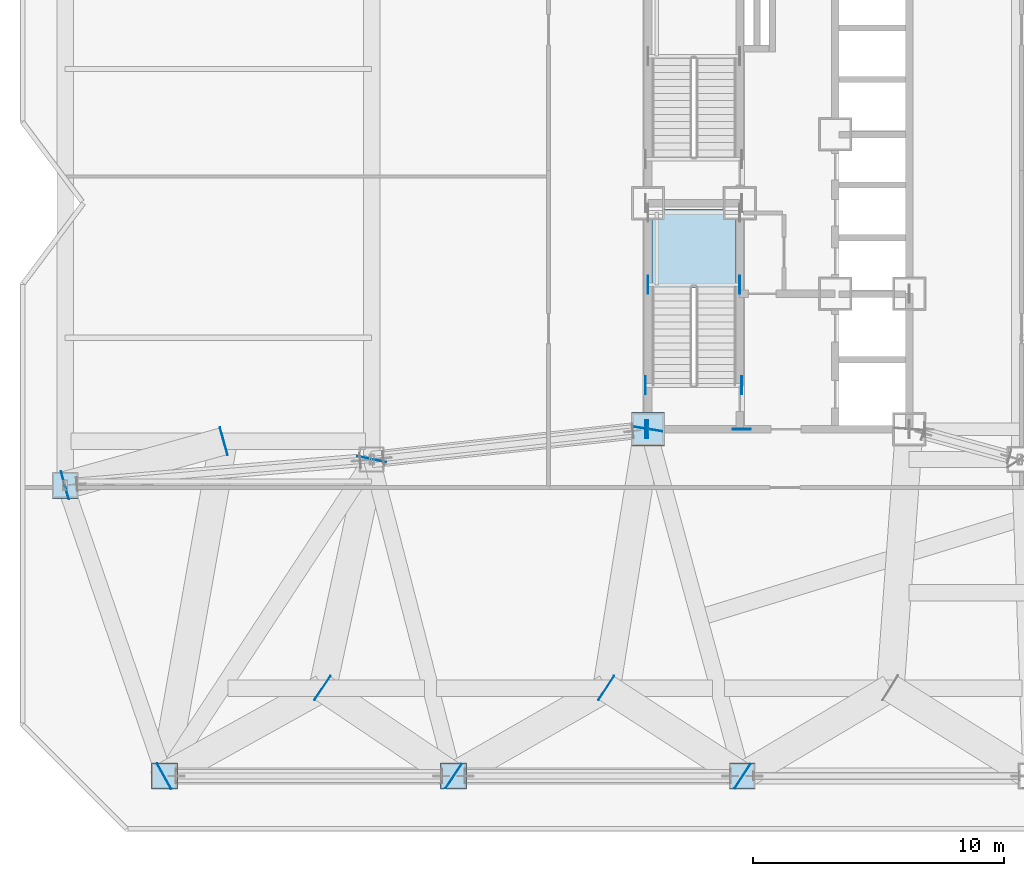
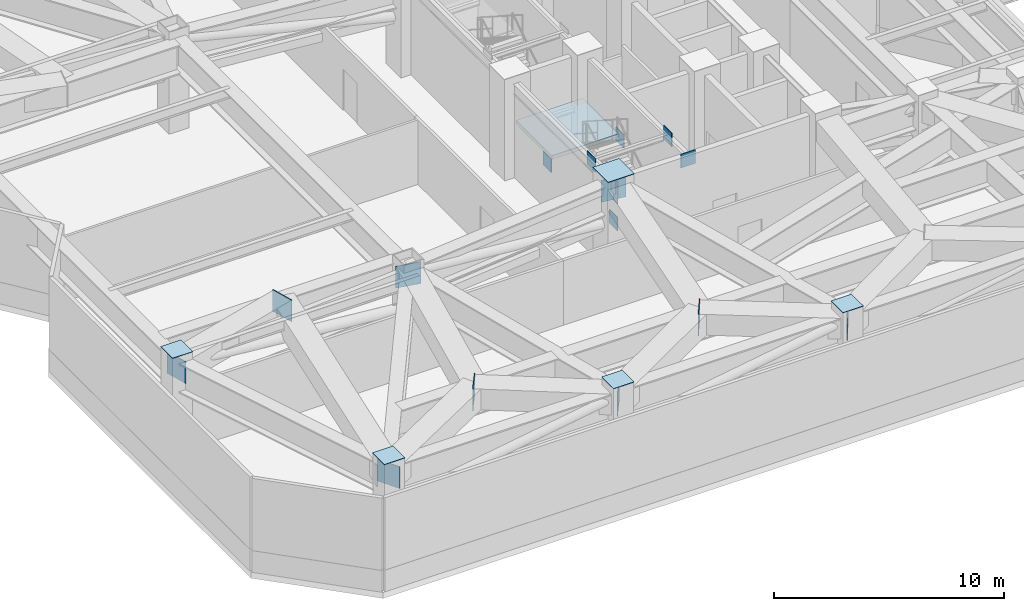
# One storey, part 6 of 18: 24 plates, 1 slab, 1 element without a shape of its own.
"""IFC4 building model written with IfcOpenShell, lengths in metres."""

import ifcopenshell
import ifcopenshell.guid

model = None  # the IFC model being written
_history = None  # IfcOwnerHistory: only IFC2X3 demands one
_inside = {}  # id of a spatial element -> (the spatial element, [elements in it])
_under = {}  # id of a project, library or spatial element -> (it, [spatial elements below it])
_declared = {}  # id of a project -> (the project, [libraries it declares])
_typed = {}  # id of a type object -> (the type object, [elements of that type])
_made_of = {}  # id of a material, layer set ... -> (it, [elements and type objects made of it])


def new_model(schema):
    """Start an empty IFC model of exactly this schema.

    Asked for "IFC4X3", IfcOpenShell would pick the latest addendum, in which some entities
    have other attributes; the version numbers below select the first issue.
    IFC2X3 requires an IfcOwnerHistory on every rooted entity: one is made here for all.
    """
    global model, _history
    if schema == "IFC4X3":
        model = ifcopenshell.file(schema_version=(4, 3, 0, 0))
    else:
        model = ifcopenshell.file(schema=schema)
    _inside.clear()
    _under.clear()
    _declared.clear()
    _typed.clear()
    _made_of.clear()
    _history = None
    if model.schema == "IFC2X3":
        org = make("IfcOrganization", Name="unknown")
        user = make(
            "IfcPersonAndOrganization",
            ThePerson=make("IfcPerson", FamilyName="unknown"),
            TheOrganization=org,
        )
        app = make(
            "IfcApplication",
            ApplicationDeveloper=org,
            Version="unknown",
            ApplicationFullName="unknown",
            ApplicationIdentifier="unknown",
        )
        _history = make(
            "IfcOwnerHistory",
            OwningUser=user,
            OwningApplication=app,
            ChangeAction="ADDED",
            CreationDate=0,
        )
    return model


def make(cls, **values):
    """One entity of the class cls with the attributes given. An attribute that is None is left unset."""
    return model.create_entity(
        cls, **{name: value for name, value in values.items() if value is not None}
    )


def rooted(cls, **values):
    """An entity with a GlobalId (a new one), such as an element, a storey or a relation."""
    return make(cls, GlobalId=ifcopenshell.guid.new(), OwnerHistory=_history, **values)


def si_unit(unit_type, name, prefix=None):
    """IfcSIUnit, for example si_unit("LENGTHUNIT", "METRE", prefix="MILLI")."""
    return make("IfcSIUnit", UnitType=unit_type, Prefix=prefix, Name=name)


def assignment(units):
    """IfcUnitAssignment: the units of a project."""
    return None if units is None else make("IfcUnitAssignment", Units=units)


def point(xyz):
    """IfcCartesianPoint."""
    return None if xyz is None else make("IfcCartesianPoint", Coordinates=xyz)


def direction(xyz):
    """IfcDirection."""
    return None if xyz is None else make("IfcDirection", DirectionRatios=xyz)


def frame(location, z_axis=None, x_axis=None):
    """IfcAxis2Placement3D, a coordinate frame: its origin and axes. An axis left out is left unset."""
    return make(
        "IfcAxis2Placement3D",
        Location=point(location),
        Axis=direction(z_axis),
        RefDirection=direction(x_axis),
    )


def frame_2d(location, x_axis=None):
    """IfcAxis2Placement2D, a coordinate frame in the plane: its origin and x axis."""
    return make(
        "IfcAxis2Placement2D", Location=point(location), RefDirection=direction(x_axis)
    )


def origin():
    """The frame at (0, 0, 0) with its axes left unset."""
    return frame((0.0, 0.0, 0.0))


def origin_2d():
    """The frame at (0, 0) in the plane with its x axis left unset."""
    return frame_2d((0.0, 0.0))


def place(relative_to, where):
    """IfcLocalPlacement: puts the frame where relative to a parent placement (None: the world)."""
    return make(
        "IfcLocalPlacement", PlacementRelTo=relative_to, RelativePlacement=where
    )


def context(
    kind, dimensions, precision=None, world=None, true_north=None, identifier=None
):
    """IfcGeometricRepresentationContext, for example the 3D "Model" context."""
    return make(
        "IfcGeometricRepresentationContext",
        ContextIdentifier=identifier,
        ContextType=kind,
        CoordinateSpaceDimension=dimensions,
        Precision=precision,
        WorldCoordinateSystem=world,
        TrueNorth=true_north,
    )


def subcontext(parent, identifier, kind, view, scale=None):
    """IfcGeometricRepresentationSubContext, for example "Body" below "Model"."""
    return make(
        "IfcGeometricRepresentationSubContext",
        ContextIdentifier=identifier,
        ContextType=kind,
        ParentContext=parent,
        TargetScale=scale,
        TargetView=view,
    )


def project(units=None, contexts=None):
    """IfcProject with its units and contexts."""
    return rooted(
        "IfcProject",
        Name="project",
        RepresentationContexts=contexts,
        UnitsInContext=assignment(units),
    )


def spatial(cls, under=None, at=None, **own):
    """A site, building, storey or space (cls), placed at a placement, below another one or the project."""
    s = rooted(cls, ObjectPlacement=at, **own)
    if under is not None:
        _under.setdefault(under.id(), (under, []))[1].append(s)
    return s


def polyline(points):
    """IfcPolyline through the points."""
    return make("IfcPolyline", Points=[point(p) for p in points])


def profile(cls, at=None, kind="AREA", **sizes):
    """A parametric profile (cls). Its sizes go by their IFC names, for example OverallWidth=200.0."""
    return make(cls, ProfileType=kind, Position=at, **sizes)


def rectangle(**sizes):
    """IfcRectangleProfileDef."""
    return profile("IfcRectangleProfileDef", **sizes)


def outline(outer, holes=None, kind="AREA"):
    """IfcArbitraryClosedProfileDef: a profile drawn as a closed curve; with holes, ...WithVoids."""
    if holes is None:
        return make("IfcArbitraryClosedProfileDef", ProfileType=kind, OuterCurve=outer)
    return make(
        "IfcArbitraryProfileDefWithVoids",
        ProfileType=kind,
        OuterCurve=outer,
        InnerCurves=holes,
    )


def extrude(swept, where, along, depth):
    """IfcExtrudedAreaSolid: the profile swept, set in the frame where, extruded along a direction by depth."""
    return make(
        "IfcExtrudedAreaSolid",
        SweptArea=swept,
        Position=where,
        ExtrudedDirection=direction(along),
        Depth=depth,
    )


def shape(context_of_items, identifier, shape_type, items):
    """IfcShapeRepresentation: the items that make up one representation, for example the "Body"."""
    return make(
        "IfcShapeRepresentation",
        ContextOfItems=context_of_items,
        RepresentationIdentifier=identifier,
        RepresentationType=shape_type,
        Items=items,
    )


def material(Name=None, Category=None):
    """IfcMaterial."""
    return make("IfcMaterial", Name=Name, Category=Category)


def layer(
    of_material, thickness, ventilated=None, Name=None, Category=None, Priority=None
):
    """IfcMaterialLayer: one layer of a wall or slab, of a material (None: an air gap)."""
    return make(
        "IfcMaterialLayer",
        Material=of_material,
        LayerThickness=thickness,
        IsVentilated=ventilated,
        Name=Name,
        Category=Category,
        Priority=Priority,
    )


def layer_set(layers, Name=None):
    """IfcMaterialLayerSet."""
    return make("IfcMaterialLayerSet", MaterialLayers=layers, LayerSetName=Name)


def made_of(thing, what):
    """Note that an element or type object is made of a material, layer set ...; save() writes the relation."""
    if what is not None:
        _made_of.setdefault(what.id(), (what, []))[1].append(thing)
    return thing


def type_object(cls, material=None, **own):
    """A type object (cls), such as IfcWallType, which elements share."""
    return made_of(rooted(cls, **own), material)


def element(
    cls,
    number,
    at=None,
    inside=None,
    cuts=None,
    type_object=None,
    material=None,
    context=None,
    identifier="Body",
    shape_type=None,
    held_by="IfcProductDefinitionShape",
    body=None,
    shapes=None,
    **own,
):
    """One element of the class cls, such as IfcWall. Its Tag is "e" and its number.

    at: its placement. inside: the storey or other place that contains it. cuts: it is an
    opening in that element (IfcRelVoidsElement). A single representation is given by context,
    identifier, shape_type and body (its items); several are given by shapes. held_by: the class
    of the entity that holds the representations. save() writes the other relations.
    """
    e = rooted(cls, Tag="e%d" % number, ObjectPlacement=at, **own)
    if body is not None:
        shapes = [shape(context, identifier, shape_type, body)]
    if shapes is not None:
        e.Representation = make(held_by, Representations=shapes)
    if inside is not None:
        _inside.setdefault(inside.id(), (inside, []))[1].append(e)
    if cuts is not None:
        rooted(
            "IfcRelVoidsElement", RelatingBuildingElement=cuts, RelatedOpeningElement=e
        )
    if type_object is not None:
        _typed.setdefault(type_object.id(), (type_object, []))[1].append(e)
    return made_of(e, material)


def aggregate(whole, parts):
    """IfcRelAggregates: a whole, such as a stair, and the parts it consists of."""
    return rooted("IfcRelAggregates", RelatingObject=whole, RelatedObjects=parts)


def save(model, path):
    """Write the relations noted so far, then the file.

    IfcRelAggregates (storeys below a building ...), IfcRelContainedInSpatialStructure (elements
    in a storey), IfcRelDefinesByType, IfcRelAssociatesMaterial and IfcRelDeclares: one each for
    every whole, place, type object, material and project.
    """
    for whole, parts in _under.values():
        aggregate(whole, parts)
    for where, things in _inside.values():
        rooted(
            "IfcRelContainedInSpatialStructure",
            RelatedElements=things,
            RelatingStructure=where,
        )
    for kind, things in _typed.values():
        rooted("IfcRelDefinesByType", RelatedObjects=things, RelatingType=kind)
    for what, things in _made_of.values():
        rooted("IfcRelAssociatesMaterial", RelatedObjects=things, RelatingMaterial=what)
    for by, libraries in _declared.values():
        rooted("IfcRelDeclares", RelatingContext=by, RelatedDefinitions=libraries)
    model.write(path)


model = new_model("IFC4")

# Units and contexts
model_context = context("Model", 3, precision=1e-05, world=origin(), true_north=direction((0.0, 1.0)))
body_context = subcontext(model_context, "Body", "Model", "MODEL_VIEW")
ifc_project = project(units=[si_unit("LENGTHUNIT", "METRE"), si_unit("AREAUNIT", "SQUARE_METRE"), si_unit("VOLUMEUNIT", "CUBIC_METRE"), si_unit("PLANEANGLEUNIT", "RADIAN"), si_unit("MASSUNIT", "GRAM", prefix="KILO")], contexts=[model_context])

# Site, building, storey
site_placement = place(None, origin())
site = spatial("IfcSite", under=ifc_project, at=site_placement, CompositionType="ELEMENT")
building_placement = place(site_placement, origin())
building = spatial("IfcBuilding", under=site, at=building_placement, Name="Khamvora Tower", CompositionType="ELEMENT")
storey_placement = place(building_placement, frame((0.0, 0.0, 84.39990234375)))
storey = spatial("IfcBuildingStorey", under=building, at=storey_placement, Name="L21", CompositionType="ELEMENT", Elevation=84.39990234375)

# Plates
ifc_material_1 = material(Name="Steel S355", Category="steel")
ifc_layer_1 = layer(ifc_material_1, 0.02490234375)
ifc_layer_set_1 = layer_set([ifc_layer_1], Name="Steel S355")
plate_type_1 = type_object("IfcPlateType", Name="PL-CAP-25", PredefinedType="SHEET", material=ifc_layer_set_1)
plate_1_placement = place(storey_placement, frame((29.0, 19.0, 5.374755859375), z_axis=(0.0, 0.0, 1.0), x_axis=(1.0, 0.0, 0.0)))
element("IfcPlate", 1, at=plate_1_placement, inside=storey, type_object=plate_type_1, Name="L21 hollow section steel end cap plate 0002", PredefinedType="SHEET", context=body_context, shape_type="SweptSolid", body=[
    extrude(rectangle(XDim=1.330078125, YDim=1.330078125, at=origin_2d()), origin(), (0.0, 0.0, 1.0), 0.02490234375),
])
for number, where, z_axis, x_axis, name in (
    (2, (9.75, 5.199951171875, 5.374755859375), (0.0, 0.0, 1.0), (1.0, 0.0, 0.0), "L21 hollow section steel end cap plate 0083"),
    (3, (21.25, 5.199951171875, 5.374755859375), (0.0, 0.0, 1.0), (1.0, 0.0, 0.0), "L21 hollow section steel end cap plate 0087"),
    (4, (32.75, 5.199951171875, 5.374755859375), (0.0, 0.0, 1.0), (1.0, 0.0, 0.0), "L21 hollow section steel end cap plate 0091"),
    (5, (5.800048828125, 16.77001953125, 5.374755859375), (0.0, 0.0, 1.0), (1.0, 0.0, 0.0), "L21 hollow section steel end cap plate 0115"),
):
    element("IfcPlate", number, at=place(storey_placement, frame(where, z_axis=z_axis, x_axis=x_axis)), inside=storey, type_object=plate_type_1, Name=name, PredefinedType="SHEET", context=body_context, shape_type="SweptSolid", body=[
        extrude(rectangle(XDim=1.030029296875, YDim=1.030029296875, at=origin_2d()), origin(), (0.0, 0.0, 1.0), 0.02490234375),
    ])
for number, where, z_axis, x_axis, name in (
    (6, (21.260009765625, 5.193115234375, 3.85009765625), (0.0, 0.0, 1.0), (-0.829583722896, 0.558382348132, 0.0), "L21 hollow section steel end cap plate 0694"),
    (7, (16.0400390625, 8.70703125, 3.85009765625), (0.0, 0.0, 1.0), (-0.829583722896, 0.558382348132, 0.0), "L21 hollow section steel end cap plate 0695"),
    (8, (9.739013671875, 5.194091796875, 3.85009765625), (0.0, 0.0, 1.0), (0.874153920417, 0.485648971397, 0.0), "L21 hollow section steel end cap plate 0696"),
    (9, (18.0029296875, 17.81201171875, 3.85009765625), (0.0, 0.0, 1.0), (-0.209533234422, -0.977801525706, 0.0), "L21 hollow section steel end cap plate 0697"),
    (10, (32.760009765625, 5.193115234375, 3.85009765625), (0.0, 0.0, 1.0), (-0.839155028602, 0.543892303652, 0.0), "L21 hollow section steel end cap plate 0698"),
    (11, (27.340087890625, 8.70703125, 3.85009765625), (0.0, 0.0, 1.0), (-0.839155028602, 0.543892303652, 0.0), "L21 hollow section steel end cap plate 0699"),
    (12, (29.001953125, 19.011962890625, 3.85009765625), (0.0, 0.0, 1.0), (-0.158175300852, -0.987411046222, 0.0), "L21 hollow section steel end cap plate 0700"),
    (13, (5.7880859375, 16.77197265625, 3.85009765625), (0.0, 0.0, 1.0), (0.963518428124, 0.267641997202, 0.0), "L21 hollow section steel end cap plate 0720"),
    (14, (12.112060546875, 18.528076171875, 3.85009765625), (0.0, 0.0, 1.0), (0.963518428124, 0.267641997202, 0.0), "L21 hollow section steel end cap plate 0721"),
):
    element("IfcPlate", number, at=place(storey_placement, frame(where, z_axis=z_axis, x_axis=x_axis)), inside=storey, type_object=plate_type_1, Name=name, PredefinedType="SHEET", context=body_context, shape_type="SweptSolid", body=[
        extrude(rectangle(XDim=0.02490234375, YDim=1.159912109375, at=origin_2d()), origin(), (0.0, 0.0, 1.0), 1.159912109375),
    ])
ifc_material_2 = material(Name="Steel S460", Category="steel")
ifc_layer_2 = layer(ifc_material_2, 0.034912109375)
ifc_layer_set_2 = layer_set([ifc_layer_2], Name="Steel S460")
plate_type_2 = type_object("IfcPlateType", Name="PL-EMB-35", PredefinedType="SHEET", material=ifc_layer_set_2)
for number, where, z_axis, x_axis, name in (
    (15, (29.0, 24.7548828125, 2.00927734375), (0.0, 0.0, 1.0), (1.0, 0.0, 0.0), "L21 core shear wall cast-in embed plate 0618"),
    (16, (32.64990234375, 24.7548828125, 2.00927734375), (0.0, 0.0, 1.0), (1.0, 0.0, 0.0), "L21 core shear wall cast-in embed plate 0619"),
    (17, (29.0, 19.0, 4.27001953125), (0.0, 0.0, 1.0), (1.0, 0.0, 0.0), "L21 core shear wall cast-in embed plate 0627"),
    (18, (29.0, 19.0, 2.39990234375), (0.0, 0.0, 1.0), (1.0, 0.0, 0.0), "L21 core shear wall cast-in embed plate 0628"),
    (19, (29.0, 19.0, 3.84521484375), (0.0, 0.0, 1.0), (1.0, 0.0, 0.0), "L21 core shear wall cast-in embed plate 0635"),
    (20, (28.89990234375, 19.0, 4.35400390625), (0.0, 0.0, 1.0), (1.0, 0.0, 0.0), "L21 core shear wall cast-in embed plate 0639"),
):
    element("IfcPlate", number, at=place(storey_placement, frame(where, z_axis=z_axis, x_axis=x_axis)), inside=storey, type_object=plate_type_2, Name=name, PredefinedType="SHEET", context=body_context, shape_type="SweptSolid", body=[
        extrude(rectangle(XDim=0.034912109375, YDim=0.719970703125, at=origin_2d()), origin(), (0.0, 0.0, 1.0), 0.719970703125),
    ])
plate_2_placement = place(storey_placement, frame((32.72998046875, 19.0, 4.35400390625), z_axis=(0.0, 0.0, 1.0), x_axis=(1.0, 0.0, 0.0)))
element("IfcPlate", 21, at=plate_2_placement, inside=storey, type_object=plate_type_2, Name="L21 core shear wall cast-in embed plate 0642", PredefinedType="SHEET", context=body_context, shape_type="SweptSolid", body=[
    extrude(rectangle(XDim=0.719970703125, YDim=0.034912109375, at=origin_2d()), origin(), (0.0, 0.0, 1.0), 0.719970703125),
])
for number, where, z_axis, x_axis, name in (
    (22, (28.89990234375, 20.75, 4.494140625), (0.0, 0.0, 1.0), (1.0, 0.0, 0.0), "L21 core shear wall cast-in embed plate 0648"),
    (23, (32.72998046875, 20.75, 4.494140625), (0.0, 0.0, 1.0), (1.0, 0.0, 0.0), "L21 core shear wall cast-in embed plate 0649"),
    (24, (29.0, 19.0, 4.0703125), (0.0, 0.0, 1.0), (1.0, 0.0, 0.0), "L21 core shear wall cast-in embed plate 0652"),
):
    element("IfcPlate", number, at=place(storey_placement, frame(where, z_axis=z_axis, x_axis=x_axis)), inside=storey, type_object=plate_type_2, Name=name, PredefinedType="SHEET", context=body_context, shape_type="SweptSolid", body=[
        extrude(rectangle(XDim=0.034912109375, YDim=0.719970703125, at=origin_2d()), origin(), (0.0, 0.0, 1.0), 0.719970703125),
    ])

# Stair, slab
ifc_material_3 = material(Name="Concrete C40/50", Category="concrete")
stair_type = type_object("IfcStairType", Name="STR-ST-01", PredefinedType="HALF_TURN_STAIR", material=ifc_material_3)
stair_placement = place(storey_placement, origin())
stair = element("IfcStair", 25, at=stair_placement, inside=storey, type_object=stair_type, Name="L21 South Tower Exit Stair ST-01", PredefinedType="HALF_TURN_STAIR")
ifc_layer_3 = layer(ifc_material_3, 0.199951171875)
ifc_layer_set_3 = layer_set([ifc_layer_3], Name="Concrete C40/50")
slab_type = type_object("IfcSlabType", Name="SLB-LND-200", PredefinedType="LANDING", material=ifc_layer_set_3)
slab_placement = place(storey_placement, frame((0.0, 0.0, 2.5)))
slab = element("IfcSlab", 26, at=slab_placement, type_object=slab_type, Name="ST-01 landing 1", PredefinedType="LANDING", context=body_context, shape_type="SweptSolid", body=[
    extrude(outline(polyline([(32.5, 24.635009765625), (32.5, 27.75), (29.14990234375, 27.75), (29.14990234375, 24.635009765625), (32.5, 24.635009765625)])), origin(), (0.0, 0.0, 1.0), 0.2001953125),
])
aggregate(stair, [slab])

save(model, "model.ifc")
